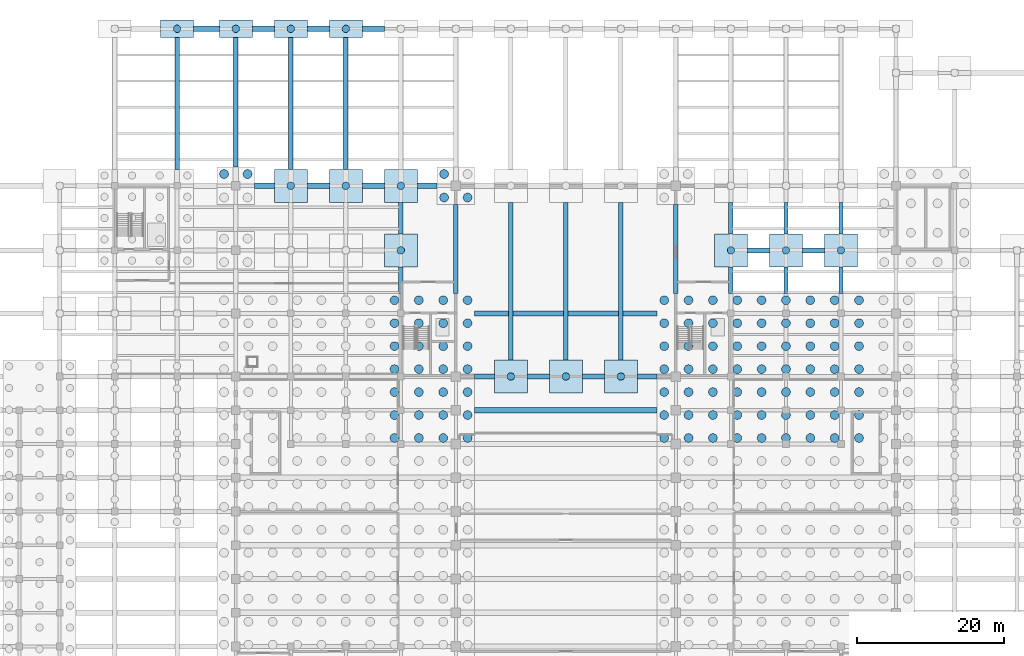
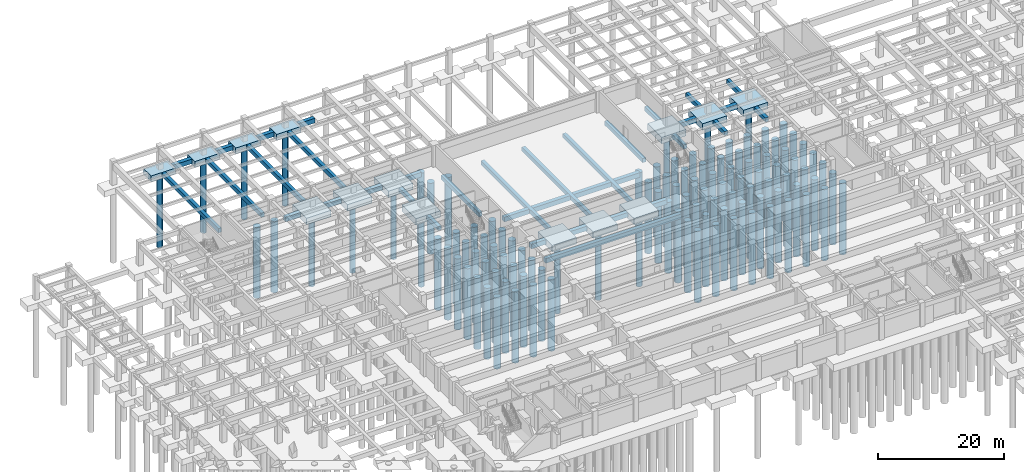
# One storey, part 6 of 32: 110 piles, 47 footings.
"""IFC4 building model written with IfcOpenShell, lengths in metres."""

from ifc_helpers import new_model, si_unit, direction, frame, origin, origin_2d, place, context, subcontext, project, spatial, rectangle, circle, extrude, material, material_profile, profile_set, type_object, element, save


model = new_model("IFC4")

# Units and contexts
model_context = context("Model", 3, precision=1e-05, world=origin(), true_north=direction((0.0, 1.0)))
body_context = subcontext(model_context, "Body", "Model", "MODEL_VIEW")
ifc_project = project(units=[si_unit("LENGTHUNIT", "METRE"), si_unit("AREAUNIT", "SQUARE_METRE"), si_unit("VOLUMEUNIT", "CUBIC_METRE"), si_unit("PLANEANGLEUNIT", "RADIAN"), si_unit("MASSUNIT", "GRAM", prefix="KILO")], contexts=[model_context])

# Site, building, storey
site_placement = place(None, origin())
site = spatial("IfcSite", under=ifc_project, at=site_placement, CompositionType="ELEMENT")
building_placement = place(site_placement, origin())
building = spatial("IfcBuilding", under=site, at=building_placement, Name="Muzn Square Opera House", CompositionType="ELEMENT")
storey_placement = place(building_placement, frame((0.0, 0.0, -4.199951171875)))
storey = spatial("IfcBuildingStorey", under=building, at=storey_placement, Name="B1", CompositionType="ELEMENT", Elevation=-4.199951171875)

# Piles
ifc_material = material(Name="Concrete C40/50", Category="concrete")
ifc_material_profile_1 = material_profile(ifc_material, circle(Radius=0.5, at=origin_2d()), Name="BORED PILE D1000", Category="concrete")
ifc_profile_set_1 = profile_set([ifc_material_profile_1], Name="Concrete C40/50")
pile_type_1 = type_object("IfcPileType", Name="Bored Pile D1000", PredefinedType="BORED", material=ifc_profile_set_1)
for number, where, z_axis, x_axis, name in (
    (1, (80.5, 72.60009765625, -1.570068359375), (0.0, 0.0, -1.0), (1.0, 0.0, 0.0), "Bored Pile BP-B1-BP-D1000-805_726-742"),
    (2, (88.0, 72.60009765625, -1.570068359375), (0.0, 0.0, -1.0), (1.0, 0.0, 0.0), "Bored Pile BP-B1-BP-D1000-880_726-743"),
    (3, (95.5, 72.60009765625, -1.570068359375), (0.0, 0.0, -1.0), (1.0, 0.0, 0.0), "Bored Pile BP-B1-BP-D1000-955_726-744"),
    (4, (65.5, 89.800048828125, -1.570068359375), (0.0, 0.0, -1.0), (1.0, 0.0, 0.0), "Bored Pile BP-B1-BP-D1000-655_898-799"),
    (5, (110.5, 89.800048828125, -1.570068359375), (0.0, 0.0, -1.0), (1.0, 0.0, 0.0), "Bored Pile BP-B1-BP-D1000-1105_898-800"),
    (6, (118.0, 89.800048828125, -1.570068359375), (0.0, 0.0, -1.0), (1.0, 0.0, 0.0), "Bored Pile BP-B1-BP-D1000-1180_898-801"),
    (7, (125.5, 89.800048828125, -1.570068359375), (0.0, 0.0, -1.0), (1.0, 0.0, 0.0), "Bored Pile BP-B1-BP-D1000-1255_898-802"),
    (8, (50.5, 98.60009765625, -1.570068359375), (0.0, 0.0, -1.0), (1.0, 0.0, 0.0), "Bored Pile BP-B1-BP-D1000-505_986-823"),
    (9, (58.0, 98.60009765625, -1.570068359375), (0.0, 0.0, -1.0), (1.0, 0.0, 0.0), "Bored Pile BP-B1-BP-D1000-580_986-824"),
    (10, (65.5, 98.60009765625, -1.570068359375), (0.0, 0.0, -1.0), (1.0, 0.0, 0.0), "Bored Pile BP-B1-BP-D1000-655_986-825"),
):
    element("IfcPile", number, at=place(storey_placement, frame(where, z_axis=z_axis, x_axis=x_axis)), inside=storey, type_object=pile_type_1, Name=name, PredefinedType="BORED", context=body_context, shape_type="SweptSolid", body=[
        extrude(circle(Radius=0.5, at=origin_2d()), origin(), (0.0, 0.0, 1.0), 13.929931640625),
    ])
for number, where, z_axis, x_axis, name in (
    (11, (35.0, 120.0, -1.469970703125), (0.0, 0.0, -1.0), (1.0, 0.0, 0.0), "Bored Pile BP-B1-BP-D1000-350_1200-839"),
    (12, (43.0, 120.0, -1.469970703125), (0.0, 0.0, -1.0), (1.0, 0.0, 0.0), "Bored Pile BP-B1-BP-D1000-430_1200-840"),
    (13, (50.5, 120.0, -1.469970703125), (0.0, 0.0, -1.0), (1.0, 0.0, 0.0), "Bored Pile BP-B1-BP-D1000-505_1200-841"),
    (14, (58.0, 120.0, -1.469970703125), (0.0, 0.0, -1.0), (1.0, 0.0, 0.0), "Bored Pile BP-B1-BP-D1000-580_1200-842"),
):
    element("IfcPile", number, at=place(storey_placement, frame(where, z_axis=z_axis, x_axis=x_axis)), inside=storey, type_object=pile_type_1, Name=name, PredefinedType="BORED", context=body_context, shape_type="SweptSolid", body=[
        extrude(circle(Radius=0.5, at=origin_2d()), origin(), (0.0, 0.0, 1.0), 14.030029296875),
    ])
ifc_material_profile_2 = material_profile(ifc_material, circle(Radius=0.60009765625, at=origin_2d()), Name="BORED PILE D1200", Category="concrete")
ifc_profile_set_2 = profile_set([ifc_material_profile_2], Name="Concrete C40/50")
pile_type_2 = type_object("IfcPileType", Name="Bored Pile D1200", PredefinedType="BORED", material=ifc_profile_set_2)
for number, where, z_axis, x_axis, name in (
    (15, (64.639892578125, 64.219970703125, -1.719970703125), (0.0, 0.0, -1.0), (1.0, 0.0, 0.0), "Bored Pile BP-B1-BP-D1200-646_642-212"),
    (16, (64.639892578125, 67.35009765625, -1.719970703125), (0.0, 0.0, -1.0), (1.0, 0.0, 0.0), "Bored Pile BP-B1-BP-D1200-646_674-213"),
    (17, (64.639892578125, 70.47998046875, -1.719970703125), (0.0, 0.0, -1.0), (1.0, 0.0, 0.0), "Bored Pile BP-B1-BP-D1200-646_705-214"),
    (18, (64.639892578125, 73.610107421875, -1.719970703125), (0.0, 0.0, -1.0), (1.0, 0.0, 0.0), "Bored Pile BP-B1-BP-D1200-646_736-215"),
    (19, (64.639892578125, 76.739990234375, -1.719970703125), (0.0, 0.0, -1.0), (1.0, 0.0, 0.0), "Bored Pile BP-B1-BP-D1200-646_767-216"),
    (20, (64.639892578125, 79.8701171875, -1.719970703125), (0.0, 0.0, -1.0), (1.0, 0.0, 0.0), "Bored Pile BP-B1-BP-D1200-646_799-217"),
    (21, (64.639892578125, 83.0, -1.719970703125), (0.0, 0.0, -1.0), (1.0, 0.0, 0.0), "Bored Pile BP-B1-BP-D1200-646_830-218"),
    (22, (67.9599609375, 64.219970703125, -1.719970703125), (0.0, 0.0, -1.0), (1.0, 0.0, 0.0), "Bored Pile BP-B1-BP-D1200-680_642-233"),
    (23, (67.9599609375, 67.35009765625, -1.719970703125), (0.0, 0.0, -1.0), (1.0, 0.0, 0.0), "Bored Pile BP-B1-BP-D1200-680_674-234"),
    (24, (67.9599609375, 70.47998046875, -1.719970703125), (0.0, 0.0, -1.0), (1.0, 0.0, 0.0), "Bored Pile BP-B1-BP-D1200-680_705-235"),
    (25, (67.9599609375, 73.610107421875, -1.719970703125), (0.0, 0.0, -1.0), (1.0, 0.0, 0.0), "Bored Pile BP-B1-BP-D1200-680_736-236"),
    (26, (67.9599609375, 76.739990234375, -1.719970703125), (0.0, 0.0, -1.0), (1.0, 0.0, 0.0), "Bored Pile BP-B1-BP-D1200-680_767-237"),
    (27, (67.9599609375, 79.8701171875, -1.719970703125), (0.0, 0.0, -1.0), (1.0, 0.0, 0.0), "Bored Pile BP-B1-BP-D1200-680_799-238"),
    (28, (67.9599609375, 83.0, -1.719970703125), (0.0, 0.0, -1.0), (1.0, 0.0, 0.0), "Bored Pile BP-B1-BP-D1200-680_830-239"),
    (29, (71.280029296875, 64.219970703125, -1.719970703125), (0.0, 0.0, -1.0), (1.0, 0.0, 0.0), "Bored Pile BP-B1-BP-D1200-713_642-254"),
    (30, (71.280029296875, 67.35009765625, -1.719970703125), (0.0, 0.0, -1.0), (1.0, 0.0, 0.0), "Bored Pile BP-B1-BP-D1200-713_674-255"),
    (31, (71.280029296875, 70.47998046875, -1.719970703125), (0.0, 0.0, -1.0), (1.0, 0.0, 0.0), "Bored Pile BP-B1-BP-D1200-713_705-256"),
    (32, (71.280029296875, 73.610107421875, -1.719970703125), (0.0, 0.0, -1.0), (1.0, 0.0, 0.0), "Bored Pile BP-B1-BP-D1200-713_736-257"),
    (33, (71.280029296875, 76.739990234375, -1.719970703125), (0.0, 0.0, -1.0), (1.0, 0.0, 0.0), "Bored Pile BP-B1-BP-D1200-713_767-258"),
    (34, (71.280029296875, 79.8701171875, -1.719970703125), (0.0, 0.0, -1.0), (1.0, 0.0, 0.0), "Bored Pile BP-B1-BP-D1200-713_799-259"),
    (35, (71.280029296875, 83.0, -1.719970703125), (0.0, 0.0, -1.0), (1.0, 0.0, 0.0), "Bored Pile BP-B1-BP-D1200-713_830-260"),
    (36, (74.60009765625, 64.219970703125, -1.719970703125), (0.0, 0.0, -1.0), (1.0, 0.0, 0.0), "Bored Pile BP-B1-BP-D1200-746_642-275"),
    (37, (74.60009765625, 67.35009765625, -1.719970703125), (0.0, 0.0, -1.0), (1.0, 0.0, 0.0), "Bored Pile BP-B1-BP-D1200-746_674-276"),
    (38, (74.60009765625, 70.47998046875, -1.719970703125), (0.0, 0.0, -1.0), (1.0, 0.0, 0.0), "Bored Pile BP-B1-BP-D1200-746_705-277"),
    (39, (74.60009765625, 73.610107421875, -1.719970703125), (0.0, 0.0, -1.0), (1.0, 0.0, 0.0), "Bored Pile BP-B1-BP-D1200-746_736-278"),
    (40, (74.60009765625, 76.739990234375, -1.719970703125), (0.0, 0.0, -1.0), (1.0, 0.0, 0.0), "Bored Pile BP-B1-BP-D1200-746_767-279"),
    (41, (74.60009765625, 79.8701171875, -1.719970703125), (0.0, 0.0, -1.0), (1.0, 0.0, 0.0), "Bored Pile BP-B1-BP-D1200-746_799-280"),
    (42, (74.60009765625, 83.0, -1.719970703125), (0.0, 0.0, -1.0), (1.0, 0.0, 0.0), "Bored Pile BP-B1-BP-D1200-746_830-281"),
    (43, (101.39990234375, 64.219970703125, -1.719970703125), (0.0, 0.0, -1.0), (1.0, 0.0, 0.0), "Bored Pile BP-B1-BP-D1200-1014_642-296"),
    (44, (101.39990234375, 67.35009765625, -1.719970703125), (0.0, 0.0, -1.0), (1.0, 0.0, 0.0), "Bored Pile BP-B1-BP-D1200-1014_674-297"),
    (45, (101.39990234375, 70.47998046875, -1.719970703125), (0.0, 0.0, -1.0), (1.0, 0.0, 0.0), "Bored Pile BP-B1-BP-D1200-1014_705-298"),
    (46, (101.39990234375, 73.610107421875, -1.719970703125), (0.0, 0.0, -1.0), (1.0, 0.0, 0.0), "Bored Pile BP-B1-BP-D1200-1014_736-299"),
    (47, (101.39990234375, 76.739990234375, -1.719970703125), (0.0, 0.0, -1.0), (1.0, 0.0, 0.0), "Bored Pile BP-B1-BP-D1200-1014_767-300"),
    (48, (101.39990234375, 79.8701171875, -1.719970703125), (0.0, 0.0, -1.0), (1.0, 0.0, 0.0), "Bored Pile BP-B1-BP-D1200-1014_799-301"),
    (49, (101.39990234375, 83.0, -1.719970703125), (0.0, 0.0, -1.0), (1.0, 0.0, 0.0), "Bored Pile BP-B1-BP-D1200-1014_830-302"),
    (50, (104.719970703125, 64.219970703125, -1.719970703125), (0.0, 0.0, -1.0), (1.0, 0.0, 0.0), "Bored Pile BP-B1-BP-D1200-1047_642-317"),
    (51, (104.719970703125, 67.35009765625, -1.719970703125), (0.0, 0.0, -1.0), (1.0, 0.0, 0.0), "Bored Pile BP-B1-BP-D1200-1047_674-318"),
    (52, (104.719970703125, 70.47998046875, -1.719970703125), (0.0, 0.0, -1.0), (1.0, 0.0, 0.0), "Bored Pile BP-B1-BP-D1200-1047_705-319"),
    (53, (104.719970703125, 73.610107421875, -1.719970703125), (0.0, 0.0, -1.0), (1.0, 0.0, 0.0), "Bored Pile BP-B1-BP-D1200-1047_736-320"),
    (54, (104.719970703125, 76.739990234375, -1.719970703125), (0.0, 0.0, -1.0), (1.0, 0.0, 0.0), "Bored Pile BP-B1-BP-D1200-1047_767-321"),
    (55, (104.719970703125, 79.8701171875, -1.719970703125), (0.0, 0.0, -1.0), (1.0, 0.0, 0.0), "Bored Pile BP-B1-BP-D1200-1047_799-322"),
    (56, (104.719970703125, 83.0, -1.719970703125), (0.0, 0.0, -1.0), (1.0, 0.0, 0.0), "Bored Pile BP-B1-BP-D1200-1047_830-323"),
    (57, (108.0400390625, 64.219970703125, -1.719970703125), (0.0, 0.0, -1.0), (1.0, 0.0, 0.0), "Bored Pile BP-B1-BP-D1200-1080_642-338"),
    (58, (108.0400390625, 67.35009765625, -1.719970703125), (0.0, 0.0, -1.0), (1.0, 0.0, 0.0), "Bored Pile BP-B1-BP-D1200-1080_674-339"),
    (59, (108.0400390625, 70.47998046875, -1.719970703125), (0.0, 0.0, -1.0), (1.0, 0.0, 0.0), "Bored Pile BP-B1-BP-D1200-1080_705-340"),
    (60, (108.0400390625, 73.610107421875, -1.719970703125), (0.0, 0.0, -1.0), (1.0, 0.0, 0.0), "Bored Pile BP-B1-BP-D1200-1080_736-341"),
    (61, (108.0400390625, 76.739990234375, -1.719970703125), (0.0, 0.0, -1.0), (1.0, 0.0, 0.0), "Bored Pile BP-B1-BP-D1200-1080_767-342"),
    (62, (108.0400390625, 79.8701171875, -1.719970703125), (0.0, 0.0, -1.0), (1.0, 0.0, 0.0), "Bored Pile BP-B1-BP-D1200-1080_799-343"),
    (63, (108.0400390625, 83.0, -1.719970703125), (0.0, 0.0, -1.0), (1.0, 0.0, 0.0), "Bored Pile BP-B1-BP-D1200-1080_830-344"),
    (64, (111.360107421875, 64.219970703125, -1.719970703125), (0.0, 0.0, -1.0), (1.0, 0.0, 0.0), "Bored Pile BP-B1-BP-D1200-1114_642-359"),
    (65, (111.360107421875, 67.35009765625, -1.719970703125), (0.0, 0.0, -1.0), (1.0, 0.0, 0.0), "Bored Pile BP-B1-BP-D1200-1114_674-360"),
    (66, (111.360107421875, 70.47998046875, -1.719970703125), (0.0, 0.0, -1.0), (1.0, 0.0, 0.0), "Bored Pile BP-B1-BP-D1200-1114_705-361"),
    (67, (111.360107421875, 73.610107421875, -1.719970703125), (0.0, 0.0, -1.0), (1.0, 0.0, 0.0), "Bored Pile BP-B1-BP-D1200-1114_736-362"),
    (68, (111.360107421875, 76.739990234375, -1.719970703125), (0.0, 0.0, -1.0), (1.0, 0.0, 0.0), "Bored Pile BP-B1-BP-D1200-1114_767-363"),
    (69, (111.360107421875, 79.8701171875, -1.719970703125), (0.0, 0.0, -1.0), (1.0, 0.0, 0.0), "Bored Pile BP-B1-BP-D1200-1114_799-364"),
    (70, (111.360107421875, 83.0, -1.719970703125), (0.0, 0.0, -1.0), (1.0, 0.0, 0.0), "Bored Pile BP-B1-BP-D1200-1114_830-365"),
    (71, (114.679931640625, 64.219970703125, -1.719970703125), (0.0, 0.0, -1.0), (1.0, 0.0, 0.0), "Bored Pile BP-B1-BP-D1200-1147_642-380"),
    (72, (114.679931640625, 67.35009765625, -1.719970703125), (0.0, 0.0, -1.0), (1.0, 0.0, 0.0), "Bored Pile BP-B1-BP-D1200-1147_674-381"),
    (73, (114.679931640625, 70.47998046875, -1.719970703125), (0.0, 0.0, -1.0), (1.0, 0.0, 0.0), "Bored Pile BP-B1-BP-D1200-1147_705-382"),
    (74, (114.679931640625, 73.610107421875, -1.719970703125), (0.0, 0.0, -1.0), (1.0, 0.0, 0.0), "Bored Pile BP-B1-BP-D1200-1147_736-383"),
    (75, (114.679931640625, 76.739990234375, -1.719970703125), (0.0, 0.0, -1.0), (1.0, 0.0, 0.0), "Bored Pile BP-B1-BP-D1200-1147_767-384"),
    (76, (114.679931640625, 79.8701171875, -1.719970703125), (0.0, 0.0, -1.0), (1.0, 0.0, 0.0), "Bored Pile BP-B1-BP-D1200-1147_799-385"),
    (77, (114.679931640625, 83.0, -1.719970703125), (0.0, 0.0, -1.0), (1.0, 0.0, 0.0), "Bored Pile BP-B1-BP-D1200-1147_830-386"),
    (78, (118.0, 64.219970703125, -1.719970703125), (0.0, 0.0, -1.0), (1.0, 0.0, 0.0), "Bored Pile BP-B1-BP-D1200-1180_642-401"),
    (79, (118.0, 67.35009765625, -1.719970703125), (0.0, 0.0, -1.0), (1.0, 0.0, 0.0), "Bored Pile BP-B1-BP-D1200-1180_674-402"),
    (80, (118.0, 70.47998046875, -1.719970703125), (0.0, 0.0, -1.0), (1.0, 0.0, 0.0), "Bored Pile BP-B1-BP-D1200-1180_705-403"),
    (81, (118.0, 73.610107421875, -1.719970703125), (0.0, 0.0, -1.0), (1.0, 0.0, 0.0), "Bored Pile BP-B1-BP-D1200-1180_736-404"),
    (82, (118.0, 76.739990234375, -1.719970703125), (0.0, 0.0, -1.0), (1.0, 0.0, 0.0), "Bored Pile BP-B1-BP-D1200-1180_767-405"),
    (83, (118.0, 79.8701171875, -1.719970703125), (0.0, 0.0, -1.0), (1.0, 0.0, 0.0), "Bored Pile BP-B1-BP-D1200-1180_799-406"),
    (84, (118.0, 83.0, -1.719970703125), (0.0, 0.0, -1.0), (1.0, 0.0, 0.0), "Bored Pile BP-B1-BP-D1200-1180_830-407"),
    (85, (121.320068359375, 64.219970703125, -1.719970703125), (0.0, 0.0, -1.0), (1.0, 0.0, 0.0), "Bored Pile BP-B1-BP-D1200-1213_642-422"),
    (86, (121.320068359375, 67.35009765625, -1.719970703125), (0.0, 0.0, -1.0), (1.0, 0.0, 0.0), "Bored Pile BP-B1-BP-D1200-1213_674-423"),
    (87, (121.320068359375, 70.47998046875, -1.719970703125), (0.0, 0.0, -1.0), (1.0, 0.0, 0.0), "Bored Pile BP-B1-BP-D1200-1213_705-424"),
    (88, (121.320068359375, 73.610107421875, -1.719970703125), (0.0, 0.0, -1.0), (1.0, 0.0, 0.0), "Bored Pile BP-B1-BP-D1200-1213_736-425"),
    (89, (121.320068359375, 76.739990234375, -1.719970703125), (0.0, 0.0, -1.0), (1.0, 0.0, 0.0), "Bored Pile BP-B1-BP-D1200-1213_767-426"),
    (90, (121.320068359375, 79.8701171875, -1.719970703125), (0.0, 0.0, -1.0), (1.0, 0.0, 0.0), "Bored Pile BP-B1-BP-D1200-1213_799-427"),
    (91, (121.320068359375, 83.0, -1.719970703125), (0.0, 0.0, -1.0), (1.0, 0.0, 0.0), "Bored Pile BP-B1-BP-D1200-1213_830-428"),
    (92, (124.639892578125, 64.219970703125, -1.719970703125), (0.0, 0.0, -1.0), (1.0, 0.0, 0.0), "Bored Pile BP-B1-BP-D1200-1246_642-443"),
    (93, (124.639892578125, 67.35009765625, -1.719970703125), (0.0, 0.0, -1.0), (1.0, 0.0, 0.0), "Bored Pile BP-B1-BP-D1200-1246_674-444"),
    (94, (124.639892578125, 70.47998046875, -1.719970703125), (0.0, 0.0, -1.0), (1.0, 0.0, 0.0), "Bored Pile BP-B1-BP-D1200-1246_705-445"),
    (95, (124.639892578125, 73.610107421875, -1.719970703125), (0.0, 0.0, -1.0), (1.0, 0.0, 0.0), "Bored Pile BP-B1-BP-D1200-1246_736-446"),
    (96, (124.639892578125, 76.739990234375, -1.719970703125), (0.0, 0.0, -1.0), (1.0, 0.0, 0.0), "Bored Pile BP-B1-BP-D1200-1246_767-447"),
    (97, (124.639892578125, 79.8701171875, -1.719970703125), (0.0, 0.0, -1.0), (1.0, 0.0, 0.0), "Bored Pile BP-B1-BP-D1200-1246_799-448"),
    (98, (124.639892578125, 83.0, -1.719970703125), (0.0, 0.0, -1.0), (1.0, 0.0, 0.0), "Bored Pile BP-B1-BP-D1200-1246_830-449"),
    (99, (127.9599609375, 64.219970703125, -1.719970703125), (0.0, 0.0, -1.0), (1.0, 0.0, 0.0), "Bored Pile BP-B1-BP-D1200-1280_642-464"),
    (100, (127.9599609375, 67.35009765625, -1.719970703125), (0.0, 0.0, -1.0), (1.0, 0.0, 0.0), "Bored Pile BP-B1-BP-D1200-1280_674-465"),
    (101, (127.9599609375, 70.47998046875, -1.719970703125), (0.0, 0.0, -1.0), (1.0, 0.0, 0.0), "Bored Pile BP-B1-BP-D1200-1280_705-466"),
    (102, (127.9599609375, 73.610107421875, -1.719970703125), (0.0, 0.0, -1.0), (1.0, 0.0, 0.0), "Bored Pile BP-B1-BP-D1200-1280_736-467"),
    (103, (127.9599609375, 76.739990234375, -1.719970703125), (0.0, 0.0, -1.0), (1.0, 0.0, 0.0), "Bored Pile BP-B1-BP-D1200-1280_767-468"),
    (104, (127.9599609375, 79.8701171875, -1.719970703125), (0.0, 0.0, -1.0), (1.0, 0.0, 0.0), "Bored Pile BP-B1-BP-D1200-1280_799-469"),
    (105, (127.9599609375, 83.0, -1.719970703125), (0.0, 0.0, -1.0), (1.0, 0.0, 0.0), "Bored Pile BP-B1-BP-D1200-1280_830-470"),
    (106, (41.39990234375, 100.199951171875, -1.719970703125), (0.0, 0.0, -1.0), (1.0, 0.0, 0.0), "Bored Pile BP-B1-BP-D1200-414_1002-810"),
    (107, (44.60009765625, 100.199951171875, -1.719970703125), (0.0, 0.0, -1.0), (1.0, 0.0, 0.0), "Bored Pile BP-B1-BP-D1200-446_1002-812"),
    (108, (71.39990234375, 97.0, -1.719970703125), (0.0, 0.0, -1.0), (1.0, 0.0, 0.0), "Bored Pile BP-B1-BP-D1200-714_970-813"),
    (109, (71.39990234375, 100.199951171875, -1.719970703125), (0.0, 0.0, -1.0), (1.0, 0.0, 0.0), "Bored Pile BP-B1-BP-D1200-714_1002-814"),
    (110, (74.60009765625, 97.0, -1.719970703125), (0.0, 0.0, -1.0), (1.0, 0.0, 0.0), "Bored Pile BP-B1-BP-D1200-746_970-815"),
):
    element("IfcPile", number, at=place(storey_placement, frame(where, z_axis=z_axis, x_axis=x_axis)), inside=storey, type_object=pile_type_2, Name=name, PredefinedType="BORED", context=body_context, shape_type="SweptSolid", body=[
        extrude(circle(Radius=0.60009765625, at=origin_2d()), origin(), (0.0, 0.0, 1.0), 13.780029296875),
    ])

# Footings
ifc_material_profile_3 = material_profile(ifc_material, rectangle(XDim=0.60009765625, YDim=0.800048828125, at=origin_2d()), Name="RCTB 600x800", Category="concrete")
ifc_profile_set_3 = profile_set([ifc_material_profile_3], Name="Concrete C40/50")
footing_type_1 = type_object("IfcFootingType", Name="Foundation Tie Beam 600x800", PredefinedType="FOOTING_BEAM", material=ifc_profile_set_3)
footing_1_placement = place(storey_placement, frame((35.0, 100.85009765625, -0.820068359375), z_axis=(0.0, 1.0, 0.0), x_axis=(-1.0, 0.0, 0.0)))
element("IfcFooting", 111, at=footing_1_placement, inside=storey, type_object=footing_type_1, Name="Foundation Tie Beam FTB-Y266", PredefinedType="FOOTING_BEAM", context=body_context, shape_type="SweptSolid", body=[
    extrude(rectangle(XDim=0.60009765625, YDim=0.800048828125, at=origin_2d()), origin(), (0.0, 0.0, 1.0), 17.949951171875),
])
footing_2_placement = place(storey_placement, frame((43.0, 101.14990234375, -0.820068359375), z_axis=(0.0, 1.0, 0.0), x_axis=(-1.0, 0.0, 0.0)))
element("IfcFooting", 112, at=footing_2_placement, inside=storey, type_object=footing_type_1, Name="Foundation Tie Beam FTB-Y272", PredefinedType="FOOTING_BEAM", context=body_context, shape_type="SweptSolid", body=[
    extrude(rectangle(XDim=0.60009765625, YDim=0.800048828125, at=origin_2d()), origin(), (0.0, 0.0, 1.0), 17.650146484375),
])
for number, where, z_axis, x_axis, name in (
    (113, (50.5, 100.85009765625, -0.820068359375), (0.0, 1.0, 0.0), (-1.0, 0.0, 0.0), "Foundation Tie Beam FTB-Y278"),
    (114, (58.0, 100.85009765625, -0.820068359375), (0.0, 1.0, 0.0), (-1.0, 0.0, 0.0), "Foundation Tie Beam FTB-Y281"),
):
    element("IfcFooting", number, at=place(storey_placement, frame(where, z_axis=z_axis, x_axis=x_axis)), inside=storey, type_object=footing_type_1, Name=name, PredefinedType="FOOTING_BEAM", context=body_context, shape_type="SweptSolid", body=[
        extrude(rectangle(XDim=0.60009765625, YDim=0.800048828125, at=origin_2d()), origin(), (0.0, 0.0, 1.0), 17.949951171875),
    ])
footing_3_placement = place(storey_placement, frame((65.5, 83.949951171875, -0.820068359375), z_axis=(0.0, 1.0, 0.0), x_axis=(-1.0, 0.0, 0.0)))
element("IfcFooting", 115, at=footing_3_placement, inside=storey, type_object=footing_type_1, Name="Foundation Tie Beam FTB-Y282", PredefinedType="FOOTING_BEAM", context=body_context, shape_type="SweptSolid", body=[
    extrude(rectangle(XDim=0.60009765625, YDim=0.800048828125, at=origin_2d()), origin(), (0.0, 0.0, 1.0), 3.60009765625),
])
footing_4_placement = place(storey_placement, frame((65.5, 92.050048828125, -0.820068359375), z_axis=(0.0, 1.0, 0.0), x_axis=(-1.0, 0.0, 0.0)))
element("IfcFooting", 116, at=footing_4_placement, inside=storey, type_object=footing_type_1, Name="Foundation Tie Beam FTB-Y283", PredefinedType="FOOTING_BEAM", context=body_context, shape_type="SweptSolid", body=[
    extrude(rectangle(XDim=0.60009765625, YDim=0.800048828125, at=origin_2d()), origin(), (0.0, 0.0, 1.0), 4.300048828125),
])
footing_5_placement = place(storey_placement, frame((73.0, 83.949951171875, -0.820068359375), z_axis=(0.0, 1.0, 0.0), x_axis=(-1.0, 0.0, 0.0)))
element("IfcFooting", 117, at=footing_5_placement, inside=storey, type_object=footing_type_1, Name="Foundation Tie Beam FTB-Y285", PredefinedType="FOOTING_BEAM", context=body_context, shape_type="SweptSolid", body=[
    extrude(rectangle(XDim=0.60009765625, YDim=0.800048828125, at=origin_2d()), origin(), (0.0, 0.0, 1.0), 12.10009765625),
])
for number, where, z_axis, x_axis, name in (
    (118, (80.5, 74.85009765625, -0.820068359375), (0.0, 1.0, 0.0), (-1.0, 0.0, 0.0), "Foundation Tie Beam FTB-Y287"),
    (119, (88.0, 74.85009765625, -0.820068359375), (0.0, 1.0, 0.0), (-1.0, 0.0, 0.0), "Foundation Tie Beam FTB-Y289"),
    (120, (95.5, 74.85009765625, -0.820068359375), (0.0, 1.0, 0.0), (-1.0, 0.0, 0.0), "Foundation Tie Beam FTB-Y291"),
):
    element("IfcFooting", number, at=place(storey_placement, frame(where, z_axis=z_axis, x_axis=x_axis)), inside=storey, type_object=footing_type_1, Name=name, PredefinedType="FOOTING_BEAM", context=body_context, shape_type="SweptSolid", body=[
        extrude(rectangle(XDim=0.60009765625, YDim=0.800048828125, at=origin_2d()), origin(), (0.0, 0.0, 1.0), 21.5),
    ])
footing_6_placement = place(storey_placement, frame((103.0, 83.949951171875, -0.820068359375), z_axis=(0.0, 1.0, 0.0), x_axis=(-1.0, 0.0, 0.0)))
element("IfcFooting", 121, at=footing_6_placement, inside=storey, type_object=footing_type_1, Name="Foundation Tie Beam FTB-Y293", PredefinedType="FOOTING_BEAM", context=body_context, shape_type="SweptSolid", body=[
    extrude(rectangle(XDim=0.60009765625, YDim=0.800048828125, at=origin_2d()), origin(), (0.0, 0.0, 1.0), 12.10009765625),
])
footing_7_placement = place(storey_placement, frame((110.5, 83.949951171875, -0.820068359375), z_axis=(0.0, 1.0, 0.0), x_axis=(-1.0, 0.0, 0.0)))
element("IfcFooting", 122, at=footing_7_placement, inside=storey, type_object=footing_type_1, Name="Foundation Tie Beam FTB-Y295", PredefinedType="FOOTING_BEAM", context=body_context, shape_type="SweptSolid", body=[
    extrude(rectangle(XDim=0.60009765625, YDim=0.800048828125, at=origin_2d()), origin(), (0.0, 0.0, 1.0), 3.60009765625),
])
footing_8_placement = place(storey_placement, frame((110.5, 92.050048828125, -0.820068359375), z_axis=(0.0, 1.0, 0.0), x_axis=(-1.0, 0.0, 0.0)))
element("IfcFooting", 123, at=footing_8_placement, inside=storey, type_object=footing_type_1, Name="Foundation Tie Beam FTB-Y296", PredefinedType="FOOTING_BEAM", context=body_context, shape_type="SweptSolid", body=[
    extrude(rectangle(XDim=0.60009765625, YDim=0.800048828125, at=origin_2d()), origin(), (0.0, 0.0, 1.0), 4.300048828125),
])
footing_9_placement = place(storey_placement, frame((118.0, 83.949951171875, -0.820068359375), z_axis=(0.0, 1.0, 0.0), x_axis=(-1.0, 0.0, 0.0)))
element("IfcFooting", 124, at=footing_9_placement, inside=storey, type_object=footing_type_1, Name="Foundation Tie Beam FTB-Y298", PredefinedType="FOOTING_BEAM", context=body_context, shape_type="SweptSolid", body=[
    extrude(rectangle(XDim=0.60009765625, YDim=0.800048828125, at=origin_2d()), origin(), (0.0, 0.0, 1.0), 3.60009765625),
])
footing_10_placement = place(storey_placement, frame((118.0, 92.050048828125, -0.820068359375), z_axis=(0.0, 1.0, 0.0), x_axis=(-1.0, 0.0, 0.0)))
element("IfcFooting", 125, at=footing_10_placement, inside=storey, type_object=footing_type_1, Name="Foundation Tie Beam FTB-Y299", PredefinedType="FOOTING_BEAM", context=body_context, shape_type="SweptSolid", body=[
    extrude(rectangle(XDim=0.60009765625, YDim=0.800048828125, at=origin_2d()), origin(), (0.0, 0.0, 1.0), 4.300048828125),
])
footing_11_placement = place(storey_placement, frame((125.5, 83.949951171875, -0.820068359375), z_axis=(0.0, 1.0, 0.0), x_axis=(-1.0, 0.0, 0.0)))
element("IfcFooting", 126, at=footing_11_placement, inside=storey, type_object=footing_type_1, Name="Foundation Tie Beam FTB-Y304", PredefinedType="FOOTING_BEAM", context=body_context, shape_type="SweptSolid", body=[
    extrude(rectangle(XDim=0.60009765625, YDim=0.800048828125, at=origin_2d()), origin(), (0.0, 0.0, 1.0), 3.60009765625),
])
footing_12_placement = place(storey_placement, frame((125.5, 92.050048828125, -0.820068359375), z_axis=(0.0, 1.0, 0.0), x_axis=(-1.0, 0.0, 0.0)))
element("IfcFooting", 127, at=footing_12_placement, inside=storey, type_object=footing_type_1, Name="Foundation Tie Beam FTB-Y305", PredefinedType="FOOTING_BEAM", context=body_context, shape_type="SweptSolid", body=[
    extrude(rectangle(XDim=0.60009765625, YDim=0.800048828125, at=origin_2d()), origin(), (0.0, 0.0, 1.0), 4.300048828125),
])
ifc_material_profile_4 = material_profile(ifc_material, rectangle(XDim=0.699951171875, YDim=0.89990234375, at=origin_2d()), Name="RCTB 700x900", Category="concrete")
ifc_profile_set_4 = profile_set([ifc_material_profile_4], Name="Concrete C40/50")
footing_type_2 = type_object("IfcFootingType", Name="Foundation Tie Beam 700x900", PredefinedType="FOOTING_BEAM", material=ifc_profile_set_4)
footing_13_placement = place(storey_placement, frame((75.550048828125, 68.0, -0.8701171875), z_axis=(1.0, 0.0, 0.0), x_axis=(0.0, 1.0, 0.0)))
element("IfcFooting", 128, at=footing_13_placement, inside=storey, type_object=footing_type_2, Name="Foundation Tie Beam FTB-X143", PredefinedType="FOOTING_BEAM", context=body_context, shape_type="SweptSolid", body=[
    extrude(rectangle(XDim=0.699951171875, YDim=0.89990234375, at=origin_2d()), origin(), (0.0, 0.0, 1.0), 24.89990234375),
])
footing_14_placement = place(storey_placement, frame((75.550048828125, 72.60009765625, -0.8701171875), z_axis=(1.0, 0.0, 0.0), x_axis=(0.0, 1.0, 0.0)))
element("IfcFooting", 129, at=footing_14_placement, inside=storey, type_object=footing_type_2, Name="Foundation Tie Beam FTB-X154", PredefinedType="FOOTING_BEAM", context=body_context, shape_type="SweptSolid", body=[
    extrude(rectangle(XDim=0.699951171875, YDim=0.89990234375, at=origin_2d()), origin(), (0.0, 0.0, 1.0), 2.699951171875),
])
for number, where, z_axis, x_axis, name in (
    (130, (82.75, 72.60009765625, -0.8701171875), (1.0, 0.0, 0.0), (0.0, 1.0, 0.0), "Foundation Tie Beam FTB-X155"),
    (131, (90.25, 72.60009765625, -0.8701171875), (1.0, 0.0, 0.0), (0.0, 1.0, 0.0), "Foundation Tie Beam FTB-X156"),
):
    element("IfcFooting", number, at=place(storey_placement, frame(where, z_axis=z_axis, x_axis=x_axis)), inside=storey, type_object=footing_type_2, Name=name, PredefinedType="FOOTING_BEAM", context=body_context, shape_type="SweptSolid", body=[
        extrude(rectangle(XDim=0.699951171875, YDim=0.89990234375, at=origin_2d()), origin(), (0.0, 0.0, 1.0), 3.0),
    ])
footing_15_placement = place(storey_placement, frame((97.75, 72.60009765625, -0.8701171875), z_axis=(1.0, 0.0, 0.0), x_axis=(0.0, 1.0, 0.0)))
element("IfcFooting", 132, at=footing_15_placement, inside=storey, type_object=footing_type_2, Name="Foundation Tie Beam FTB-X157", PredefinedType="FOOTING_BEAM", context=body_context, shape_type="SweptSolid", body=[
    extrude(rectangle(XDim=0.699951171875, YDim=0.89990234375, at=origin_2d()), origin(), (0.0, 0.0, 1.0), 2.699951171875),
])
footing_16_placement = place(storey_placement, frame((75.550048828125, 81.199951171875, -0.8701171875), z_axis=(1.0, 0.0, 0.0), x_axis=(0.0, 1.0, 0.0)))
element("IfcFooting", 133, at=footing_16_placement, inside=storey, type_object=footing_type_2, Name="Foundation Tie Beam FTB-X168", PredefinedType="FOOTING_BEAM", context=body_context, shape_type="SweptSolid", body=[
    extrude(rectangle(XDim=0.699951171875, YDim=0.89990234375, at=origin_2d()), origin(), (0.0, 0.0, 1.0), 24.89990234375),
])
for number, where, z_axis, x_axis, name in (
    (134, (112.75, 89.800048828125, -0.8701171875), (1.0, 0.0, 0.0), (0.0, 1.0, 0.0), "Foundation Tie Beam FTB-X179"),
    (135, (120.25, 89.800048828125, -0.8701171875), (1.0, 0.0, 0.0), (0.0, 1.0, 0.0), "Foundation Tie Beam FTB-X180"),
):
    element("IfcFooting", number, at=place(storey_placement, frame(where, z_axis=z_axis, x_axis=x_axis)), inside=storey, type_object=footing_type_2, Name=name, PredefinedType="FOOTING_BEAM", context=body_context, shape_type="SweptSolid", body=[
        extrude(rectangle(XDim=0.699951171875, YDim=0.89990234375, at=origin_2d()), origin(), (0.0, 0.0, 1.0), 3.0),
    ])
footing_17_placement = place(storey_placement, frame((45.550048828125, 98.60009765625, -0.8701171875), z_axis=(1.0, 0.0, 0.0), x_axis=(0.0, 1.0, 0.0)))
element("IfcFooting", 136, at=footing_17_placement, inside=storey, type_object=footing_type_2, Name="Foundation Tie Beam FTB-X191", PredefinedType="FOOTING_BEAM", context=body_context, shape_type="SweptSolid", body=[
    extrude(rectangle(XDim=0.699951171875, YDim=0.89990234375, at=origin_2d()), origin(), (0.0, 0.0, 1.0), 2.699951171875),
])
for number, where, z_axis, x_axis, name in (
    (137, (52.75, 98.60009765625, -0.8701171875), (1.0, 0.0, 0.0), (0.0, 1.0, 0.0), "Foundation Tie Beam FTB-X192"),
    (138, (60.25, 98.60009765625, -0.8701171875), (1.0, 0.0, 0.0), (0.0, 1.0, 0.0), "Foundation Tie Beam FTB-X193"),
):
    element("IfcFooting", number, at=place(storey_placement, frame(where, z_axis=z_axis, x_axis=x_axis)), inside=storey, type_object=footing_type_2, Name=name, PredefinedType="FOOTING_BEAM", context=body_context, shape_type="SweptSolid", body=[
        extrude(rectangle(XDim=0.699951171875, YDim=0.89990234375, at=origin_2d()), origin(), (0.0, 0.0, 1.0), 3.0),
    ])
footing_18_placement = place(storey_placement, frame((67.75, 98.60009765625, -0.8701171875), z_axis=(1.0, 0.0, 0.0), x_axis=(0.0, 1.0, 0.0)))
element("IfcFooting", 139, at=footing_18_placement, inside=storey, type_object=footing_type_2, Name="Foundation Tie Beam FTB-X194", PredefinedType="FOOTING_BEAM", context=body_context, shape_type="SweptSolid", body=[
    extrude(rectangle(XDim=0.699951171875, YDim=0.89990234375, at=origin_2d()), origin(), (0.0, 0.0, 1.0), 2.699951171875),
])
footing_19_placement = place(storey_placement, frame((37.25, 120.0, -0.8701171875), z_axis=(1.0, 0.0, 0.0), x_axis=(0.0, 1.0, 0.0)))
element("IfcFooting", 140, at=footing_19_placement, inside=storey, type_object=footing_type_2, Name="Foundation Tie Beam FTB-X208", PredefinedType="FOOTING_BEAM", context=body_context, shape_type="SweptSolid", body=[
    extrude(rectangle(XDim=0.699951171875, YDim=0.89990234375, at=origin_2d()), origin(), (0.0, 0.0, 1.0), 3.5),
])
for number, where, z_axis, x_axis, name in (
    (141, (45.25, 120.0, -0.8701171875), (1.0, 0.0, 0.0), (0.0, 1.0, 0.0), "Foundation Tie Beam FTB-X209"),
    (142, (52.75, 120.0, -0.8701171875), (1.0, 0.0, 0.0), (0.0, 1.0, 0.0), "Foundation Tie Beam FTB-X210"),
    (143, (60.25, 120.0, -0.8701171875), (1.0, 0.0, 0.0), (0.0, 1.0, 0.0), "Foundation Tie Beam FTB-X211"),
):
    element("IfcFooting", number, at=place(storey_placement, frame(where, z_axis=z_axis, x_axis=x_axis)), inside=storey, type_object=footing_type_2, Name=name, PredefinedType="FOOTING_BEAM", context=body_context, shape_type="SweptSolid", body=[
        extrude(rectangle(XDim=0.699951171875, YDim=0.89990234375, at=origin_2d()), origin(), (0.0, 0.0, 1.0), 3.0),
    ])
footing_type_3 = type_object("IfcFootingType", Name="Pile Cap 4500x2400x1150", PredefinedType="PILE_CAP", material=ifc_material)
for number, where, z_axis, x_axis, name in (
    (144, (35.0, 120.0, -1.570068359375), (0.0, 0.0, 1.0), (1.0, 0.0, 0.0), "Pile Cap PC-B1-137"),
    (145, (43.0, 120.0, -1.570068359375), (0.0, 0.0, 1.0), (1.0, 0.0, 0.0), "Pile Cap PC-B1-138"),
    (146, (50.5, 120.0, -1.570068359375), (0.0, 0.0, 1.0), (1.0, 0.0, 0.0), "Pile Cap PC-B1-139"),
    (147, (58.0, 120.0, -1.570068359375), (0.0, 0.0, 1.0), (1.0, 0.0, 0.0), "Pile Cap PC-B1-140"),
):
    element("IfcFooting", number, at=place(storey_placement, frame(where, z_axis=z_axis, x_axis=x_axis)), inside=storey, type_object=footing_type_3, Name=name, PredefinedType="PILE_CAP", context=body_context, shape_type="SweptSolid", body=[
        extrude(rectangle(XDim=4.5, YDim=2.39990234375, at=origin_2d()), origin(), (0.0, 0.0, 1.0), 1.14990234375),
    ])
footing_type_4 = type_object("IfcFootingType", Name="Pile Cap 4500x4500x1250", PredefinedType="PILE_CAP", material=ifc_material)
for number, where, z_axis, x_axis, name in (
    (148, (80.5, 72.60009765625, -1.670166015625), (0.0, 0.0, 1.0), (1.0, 0.0, 0.0), "Pile Cap PC-B1-086"),
    (149, (88.0, 72.60009765625, -1.670166015625), (0.0, 0.0, 1.0), (1.0, 0.0, 0.0), "Pile Cap PC-B1-087"),
    (150, (95.5, 72.60009765625, -1.670166015625), (0.0, 0.0, 1.0), (1.0, 0.0, 0.0), "Pile Cap PC-B1-088"),
    (151, (65.5, 89.800048828125, -1.670166015625), (0.0, 0.0, 1.0), (1.0, 0.0, 0.0), "Pile Cap PC-B1-106"),
    (152, (110.5, 89.800048828125, -1.670166015625), (0.0, 0.0, 1.0), (1.0, 0.0, 0.0), "Pile Cap PC-B1-107"),
    (153, (118.0, 89.800048828125, -1.670166015625), (0.0, 0.0, 1.0), (1.0, 0.0, 0.0), "Pile Cap PC-B1-108"),
    (154, (125.5, 89.800048828125, -1.670166015625), (0.0, 0.0, 1.0), (1.0, 0.0, 0.0), "Pile Cap PC-B1-109"),
    (155, (50.5, 98.60009765625, -1.670166015625), (0.0, 0.0, 1.0), (1.0, 0.0, 0.0), "Pile Cap PC-B1-121"),
    (156, (58.0, 98.60009765625, -1.670166015625), (0.0, 0.0, 1.0), (1.0, 0.0, 0.0), "Pile Cap PC-B1-122"),
    (157, (65.5, 98.60009765625, -1.670166015625), (0.0, 0.0, 1.0), (1.0, 0.0, 0.0), "Pile Cap PC-B1-123"),
):
    element("IfcFooting", number, at=place(storey_placement, frame(where, z_axis=z_axis, x_axis=x_axis)), inside=storey, type_object=footing_type_4, Name=name, PredefinedType="PILE_CAP", context=body_context, shape_type="SweptSolid", body=[
        extrude(rectangle(XDim=4.5, YDim=4.5, at=origin_2d()), origin(), (0.0, 0.0, 1.0), 1.25),
    ])

save(model, "model.ifc")
